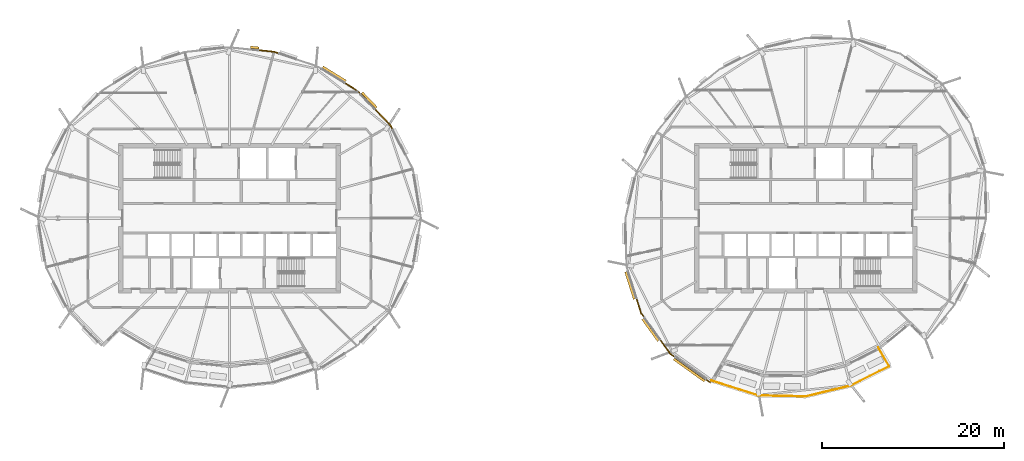
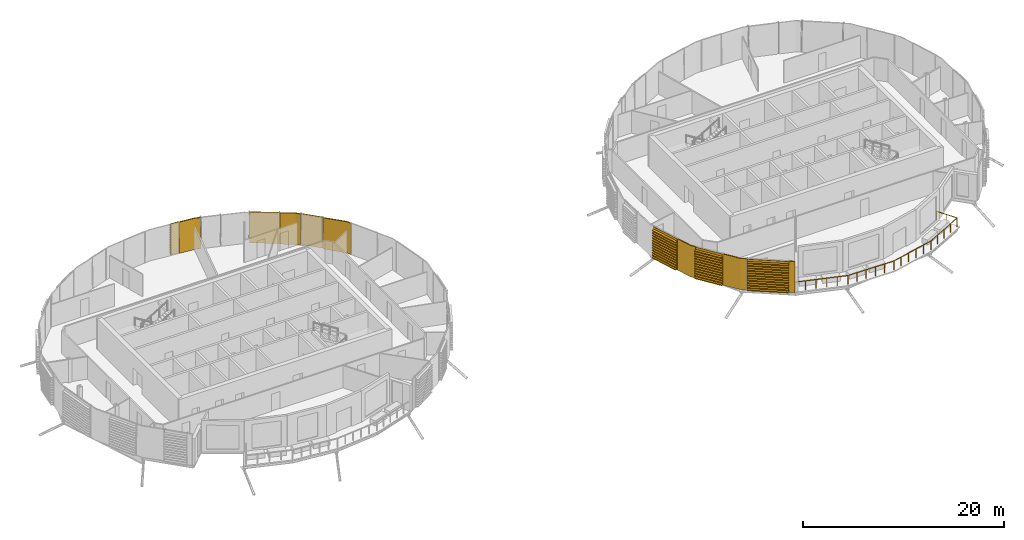
# One storey, part 37 of 41: 12 coverings, 1 railing.
"""IFC4 building model written with IfcOpenShell, lengths in metres."""

import ifcopenshell
import ifcopenshell.guid

model = None  # the IFC model being written
_history = None  # IfcOwnerHistory: only IFC2X3 demands one
_inside = {}  # id of a spatial element -> (the spatial element, [elements in it])
_under = {}  # id of a project, library or spatial element -> (it, [spatial elements below it])
_declared = {}  # id of a project -> (the project, [libraries it declares])
_typed = {}  # id of a type object -> (the type object, [elements of that type])
_made_of = {}  # id of a material, layer set ... -> (it, [elements and type objects made of it])


def new_model(schema):
    """Start an empty IFC model of exactly this schema.

    Asked for "IFC4X3", IfcOpenShell would pick the latest addendum, in which some entities
    have other attributes; the version numbers below select the first issue.
    IFC2X3 requires an IfcOwnerHistory on every rooted entity: one is made here for all.
    """
    global model, _history
    if schema == "IFC4X3":
        model = ifcopenshell.file(schema_version=(4, 3, 0, 0))
    else:
        model = ifcopenshell.file(schema=schema)
    _inside.clear()
    _under.clear()
    _declared.clear()
    _typed.clear()
    _made_of.clear()
    _history = None
    if model.schema == "IFC2X3":
        org = make("IfcOrganization", Name="unknown")
        user = make(
            "IfcPersonAndOrganization",
            ThePerson=make("IfcPerson", FamilyName="unknown"),
            TheOrganization=org,
        )
        app = make(
            "IfcApplication",
            ApplicationDeveloper=org,
            Version="unknown",
            ApplicationFullName="unknown",
            ApplicationIdentifier="unknown",
        )
        _history = make(
            "IfcOwnerHistory",
            OwningUser=user,
            OwningApplication=app,
            ChangeAction="ADDED",
            CreationDate=0,
        )
    return model


def make(cls, **values):
    """One entity of the class cls with the attributes given. An attribute that is None is left unset."""
    return model.create_entity(
        cls, **{name: value for name, value in values.items() if value is not None}
    )


def rooted(cls, **values):
    """An entity with a GlobalId (a new one), such as an element, a storey or a relation."""
    return make(cls, GlobalId=ifcopenshell.guid.new(), OwnerHistory=_history, **values)


def si_unit(unit_type, name, prefix=None):
    """IfcSIUnit, for example si_unit("LENGTHUNIT", "METRE", prefix="MILLI")."""
    return make("IfcSIUnit", UnitType=unit_type, Prefix=prefix, Name=name)


def assignment(units):
    """IfcUnitAssignment: the units of a project."""
    return None if units is None else make("IfcUnitAssignment", Units=units)


def point(xyz):
    """IfcCartesianPoint."""
    return None if xyz is None else make("IfcCartesianPoint", Coordinates=xyz)


def direction(xyz):
    """IfcDirection."""
    return None if xyz is None else make("IfcDirection", DirectionRatios=xyz)


def frame(location, z_axis=None, x_axis=None):
    """IfcAxis2Placement3D, a coordinate frame: its origin and axes. An axis left out is left unset."""
    return make(
        "IfcAxis2Placement3D",
        Location=point(location),
        Axis=direction(z_axis),
        RefDirection=direction(x_axis),
    )


def frame_2d(location, x_axis=None):
    """IfcAxis2Placement2D, a coordinate frame in the plane: its origin and x axis."""
    return make(
        "IfcAxis2Placement2D", Location=point(location), RefDirection=direction(x_axis)
    )


def origin():
    """The frame at (0, 0, 0) with its axes left unset."""
    return frame((0.0, 0.0, 0.0))


def origin_2d():
    """The frame at (0, 0) in the plane with its x axis left unset."""
    return frame_2d((0.0, 0.0))


def place(relative_to, where):
    """IfcLocalPlacement: puts the frame where relative to a parent placement (None: the world)."""
    return make(
        "IfcLocalPlacement", PlacementRelTo=relative_to, RelativePlacement=where
    )


def context(
    kind, dimensions, precision=None, world=None, true_north=None, identifier=None
):
    """IfcGeometricRepresentationContext, for example the 3D "Model" context."""
    return make(
        "IfcGeometricRepresentationContext",
        ContextIdentifier=identifier,
        ContextType=kind,
        CoordinateSpaceDimension=dimensions,
        Precision=precision,
        WorldCoordinateSystem=world,
        TrueNorth=true_north,
    )


def subcontext(parent, identifier, kind, view, scale=None):
    """IfcGeometricRepresentationSubContext, for example "Body" below "Model"."""
    return make(
        "IfcGeometricRepresentationSubContext",
        ContextIdentifier=identifier,
        ContextType=kind,
        ParentContext=parent,
        TargetScale=scale,
        TargetView=view,
    )


def project(units=None, contexts=None):
    """IfcProject with its units and contexts."""
    return rooted(
        "IfcProject",
        Name="project",
        RepresentationContexts=contexts,
        UnitsInContext=assignment(units),
    )


def spatial(cls, under=None, at=None, **own):
    """A site, building, storey or space (cls), placed at a placement, below another one or the project."""
    s = rooted(cls, ObjectPlacement=at, **own)
    if under is not None:
        _under.setdefault(under.id(), (under, []))[1].append(s)
    return s


def polyline(points):
    """IfcPolyline through the points."""
    return make("IfcPolyline", Points=[point(p) for p in points])


def profile(cls, at=None, kind="AREA", **sizes):
    """A parametric profile (cls). Its sizes go by their IFC names, for example OverallWidth=200.0."""
    return make(cls, ProfileType=kind, Position=at, **sizes)


def circle(**sizes):
    """IfcCircleProfileDef."""
    return profile("IfcCircleProfileDef", **sizes)


def outline(outer, holes=None, kind="AREA"):
    """IfcArbitraryClosedProfileDef: a profile drawn as a closed curve; with holes, ...WithVoids."""
    if holes is None:
        return make("IfcArbitraryClosedProfileDef", ProfileType=kind, OuterCurve=outer)
    return make(
        "IfcArbitraryProfileDefWithVoids",
        ProfileType=kind,
        OuterCurve=outer,
        InnerCurves=holes,
    )


def extrude(swept, where, along, depth):
    """IfcExtrudedAreaSolid: the profile swept, set in the frame where, extruded along a direction by depth."""
    return make(
        "IfcExtrudedAreaSolid",
        SweptArea=swept,
        Position=where,
        ExtrudedDirection=direction(along),
        Depth=depth,
    )


def shape(context_of_items, identifier, shape_type, items):
    """IfcShapeRepresentation: the items that make up one representation, for example the "Body"."""
    return make(
        "IfcShapeRepresentation",
        ContextOfItems=context_of_items,
        RepresentationIdentifier=identifier,
        RepresentationType=shape_type,
        Items=items,
    )


def material(Name=None, Category=None):
    """IfcMaterial."""
    return make("IfcMaterial", Name=Name, Category=Category)


def layer(
    of_material, thickness, ventilated=None, Name=None, Category=None, Priority=None
):
    """IfcMaterialLayer: one layer of a wall or slab, of a material (None: an air gap)."""
    return make(
        "IfcMaterialLayer",
        Material=of_material,
        LayerThickness=thickness,
        IsVentilated=ventilated,
        Name=Name,
        Category=Category,
        Priority=Priority,
    )


def layer_set(layers, Name=None):
    """IfcMaterialLayerSet."""
    return make("IfcMaterialLayerSet", MaterialLayers=layers, LayerSetName=Name)


def material_profile(
    of_material, cross_section, Name=None, Category=None, Priority=None
):
    """IfcMaterialProfile: a cross section and its material."""
    return make(
        "IfcMaterialProfile",
        Name=Name,
        Material=of_material,
        Profile=cross_section,
        Priority=Priority,
        Category=Category,
    )


def profile_set(profiles, Name=None, composite=None):
    """IfcMaterialProfileSet."""
    return make(
        "IfcMaterialProfileSet",
        Name=Name,
        MaterialProfiles=profiles,
        CompositeProfile=composite,
    )


def made_of(thing, what):
    """Note that an element or type object is made of a material, layer set ...; save() writes the relation."""
    if what is not None:
        _made_of.setdefault(what.id(), (what, []))[1].append(thing)
    return thing


def type_object(cls, material=None, **own):
    """A type object (cls), such as IfcWallType, which elements share."""
    return made_of(rooted(cls, **own), material)


def element(
    cls,
    number,
    at=None,
    inside=None,
    cuts=None,
    type_object=None,
    material=None,
    context=None,
    identifier="Body",
    shape_type=None,
    held_by="IfcProductDefinitionShape",
    body=None,
    shapes=None,
    **own,
):
    """One element of the class cls, such as IfcWall. Its Tag is "e" and its number.

    at: its placement. inside: the storey or other place that contains it. cuts: it is an
    opening in that element (IfcRelVoidsElement). A single representation is given by context,
    identifier, shape_type and body (its items); several are given by shapes. held_by: the class
    of the entity that holds the representations. save() writes the other relations.
    """
    e = rooted(cls, Tag="e%d" % number, ObjectPlacement=at, **own)
    if body is not None:
        shapes = [shape(context, identifier, shape_type, body)]
    if shapes is not None:
        e.Representation = make(held_by, Representations=shapes)
    if inside is not None:
        _inside.setdefault(inside.id(), (inside, []))[1].append(e)
    if cuts is not None:
        rooted(
            "IfcRelVoidsElement", RelatingBuildingElement=cuts, RelatedOpeningElement=e
        )
    if type_object is not None:
        _typed.setdefault(type_object.id(), (type_object, []))[1].append(e)
    return made_of(e, material)


def aggregate(whole, parts):
    """IfcRelAggregates: a whole, such as a stair, and the parts it consists of."""
    return rooted("IfcRelAggregates", RelatingObject=whole, RelatedObjects=parts)


def save(model, path):
    """Write the relations noted so far, then the file.

    IfcRelAggregates (storeys below a building ...), IfcRelContainedInSpatialStructure (elements
    in a storey), IfcRelDefinesByType, IfcRelAssociatesMaterial and IfcRelDeclares: one each for
    every whole, place, type object, material and project.
    """
    for whole, parts in _under.values():
        aggregate(whole, parts)
    for where, things in _inside.values():
        rooted(
            "IfcRelContainedInSpatialStructure",
            RelatedElements=things,
            RelatingStructure=where,
        )
    for kind, things in _typed.values():
        rooted("IfcRelDefinesByType", RelatedObjects=things, RelatingType=kind)
    for what, things in _made_of.values():
        rooted("IfcRelAssociatesMaterial", RelatedObjects=things, RelatingMaterial=what)
    for by, libraries in _declared.values():
        rooted("IfcRelDeclares", RelatingContext=by, RelatedDefinitions=libraries)
    model.write(path)


model = new_model("IFC4")

# Units and contexts
model_context = context("Model", 3, precision=1e-05, world=origin(), true_north=direction((0.0, 1.0)))
body_context = subcontext(model_context, "Body", "Model", "MODEL_VIEW")
ifc_project = project(units=[si_unit("LENGTHUNIT", "METRE"), si_unit("AREAUNIT", "SQUARE_METRE"), si_unit("VOLUMEUNIT", "CUBIC_METRE"), si_unit("PLANEANGLEUNIT", "RADIAN"), si_unit("MASSUNIT", "GRAM", prefix="KILO")], contexts=[model_context])

# Site, building, storey
site_placement = place(None, origin())
site = spatial("IfcSite", under=ifc_project, at=site_placement, CompositionType="ELEMENT")
building_placement = place(site_placement, origin())
building = spatial("IfcBuilding", under=site, at=building_placement, Name="Rimbun Link Towers", CompositionType="ELEMENT")
storey_placement = place(building_placement, frame((0.0, 0.0, 210.5)))
storey = spatial("IfcBuildingStorey", under=building, at=storey_placement, Name="L51", CompositionType="ELEMENT", Elevation=210.5)

# Railing
ifc_material_1 = material(Name="Stainless steel grade 316", Category="steel")
railing_type = type_object("IfcRailingType", Name="GUARD stainless rail and posts", PredefinedType="GUARDRAIL", material=ifc_material_1)
railing_placement = place(storey_placement, frame((21.369140625, -17.89453125, 0.0)))
element("IfcRailing", 1, at=railing_placement, inside=storey, type_object=railing_type, Name="GUARD", PredefinedType="GUARDRAIL", context=body_context, shape_type="SweptSolid", body=[
    extrude(circle(Radius=0.02392578125, at=origin_2d()), frame((0.0, 0.0, 1.076171875), z_axis=(0.952965688844, -0.303078200941, 0.0), x_axis=(0.303078200941, 0.952965688844, 0.0)), (0.0, 0.0, 1.0), 5.3818359375),
    extrude(circle(Radius=0.02392578125, at=origin_2d()), frame((5.128662109375, -1.631103515625, 1.076171875), z_axis=(0.999778518668, -0.021045512808, 0.0), x_axis=(0.021045512808, 0.999778518668, 0.0)), (0.0, 0.0, 1.0), 5.23193359375),
    extrude(circle(Radius=0.02392578125, at=origin_2d()), frame((10.359375, -1.7412109375, 1.076171875), z_axis=(0.972578655658, 0.232574200114, 0.0), x_axis=(-0.232574200114, 0.972578655658, 0.0)), (0.0, 0.0, 1.0), 5.0869140625),
    extrude(circle(Radius=0.02392578125, at=origin_2d()), frame((15.306884765625, -0.55810546875, 1.076171875), z_axis=(0.893647594266, 0.448769403216, 0.0), x_axis=(-0.448769403216, 0.893647594266, 0.0)), (0.0, 0.0, 1.0), 4.768310546875),
    extrude(circle(Radius=0.02392578125, at=origin_2d()), frame((19.568115234375, 1.581787109375, 1.076171875), z_axis=(-0.500020385304, 0.866013634004, 0.0), x_axis=(-0.866013634004, -0.500020385304, 0.0)), (0.0, 0.0, 1.0), 2.38818359375),
    extrude(circle(Radius=0.02099609375, at=origin_2d()), origin(), (0.0, 0.0, 1.0), 1.052001953125),
    extrude(circle(Radius=0.02099609375, at=origin_2d()), frame((1.025634765625, -0.326171875, 0.0)), (0.0, 0.0, 1.0), 1.052001953125),
    extrude(circle(Radius=0.02099609375, at=origin_2d()), frame((2.051513671875, -0.65234375, 0.0)), (0.0, 0.0, 1.0), 1.052001953125),
    extrude(circle(Radius=0.02099609375, at=origin_2d()), frame((3.0771484375, -0.978759765625, 0.0)), (0.0, 0.0, 1.0), 1.052001953125),
    extrude(circle(Radius=0.02099609375, at=origin_2d()), frame((4.10302734375, -1.304931640625, 0.0)), (0.0, 0.0, 1.0), 1.052001953125),
    extrude(circle(Radius=0.02099609375, at=origin_2d()), frame((5.128662109375, -1.631103515625, 0.0)), (0.0, 0.0, 1.0), 1.052001953125),
    extrude(circle(Radius=0.02099609375, at=origin_2d()), frame((6.1748046875, -1.653076171875, 0.0)), (0.0, 0.0, 1.0), 1.052001953125),
    extrude(circle(Radius=0.02099609375, at=origin_2d()), frame((7.220947265625, -1.675048828125, 0.0)), (0.0, 0.0, 1.0), 1.052001953125),
    extrude(circle(Radius=0.02099609375, at=origin_2d()), frame((8.26708984375, -1.697265625, 0.0)), (0.0, 0.0, 1.0), 1.052001953125),
    extrude(circle(Radius=0.02099609375, at=origin_2d()), frame((9.313232421875, -1.71923828125, 0.0)), (0.0, 0.0, 1.0), 1.052001953125),
    extrude(circle(Radius=0.02099609375, at=origin_2d()), frame((10.359375, -1.7412109375, 0.0)), (0.0, 0.0, 1.0), 1.052001953125),
    extrude(circle(Radius=0.02099609375, at=origin_2d()), frame((11.348876953125, -1.504638671875, 0.0)), (0.0, 0.0, 1.0), 1.052001953125),
    extrude(circle(Radius=0.02099609375, at=origin_2d()), frame((12.33837890625, -1.26806640625, 0.0)), (0.0, 0.0, 1.0), 1.052001953125),
    extrude(circle(Radius=0.02099609375, at=origin_2d()), frame((13.327880859375, -1.03125, 0.0)), (0.0, 0.0, 1.0), 1.052001953125),
    extrude(circle(Radius=0.02099609375, at=origin_2d()), frame((14.3173828125, -0.794677734375, 0.0)), (0.0, 0.0, 1.0), 1.052001953125),
    extrude(circle(Radius=0.02099609375, at=origin_2d()), frame((15.306884765625, -0.55810546875, 0.0)), (0.0, 0.0, 1.0), 1.052001953125),
    extrude(circle(Radius=0.02099609375, at=origin_2d()), frame((16.3720703125, -0.023193359375, 0.0)), (0.0, 0.0, 1.0), 1.052001953125),
    extrude(circle(Radius=0.02099609375, at=origin_2d()), frame((17.4375, 0.51171875, 0.0)), (0.0, 0.0, 1.0), 1.052001953125),
    extrude(circle(Radius=0.02099609375, at=origin_2d()), frame((18.5029296875, 1.046875, 0.0)), (0.0, 0.0, 1.0), 1.052001953125),
    extrude(circle(Radius=0.02099609375, at=origin_2d()), frame((19.568115234375, 1.581787109375, 0.0)), (0.0, 0.0, 1.0), 1.052001953125),
    extrude(circle(Radius=0.02099609375, at=origin_2d()), frame((18.97119140625, 2.61572265625, 0.0)), (0.0, 0.0, 1.0), 1.052001953125),
    extrude(circle(Radius=0.02099609375, at=origin_2d()), frame((18.3740234375, 3.64990234375, 0.0)), (0.0, 0.0, 1.0), 1.052001953125),
])

# Coverings
ifc_material_2 = material(Name="Terracotta", Category="masonry")
ifc_layer = layer(ifc_material_2, 0.1201171875)
ifc_layer_set = layer_set([ifc_layer], Name="LINK PIER terracotta cladding 120")
covering_type_1 = type_object("IfcCoveringType", Name="LINK PIER terracotta cladding 120", PredefinedType="CLADDING", material=ifc_layer_set)
covering_1_placement = place(storey_placement, origin())
element("IfcCovering", 2, at=covering_1_placement, inside=storey, type_object=covering_type_1, Name="LINK PIER cladding", PredefinedType="CLADDING", context=body_context, shape_type="SweptSolid", body=[
    extrude(outline(polyline([(-15.739990234375, 11.957275390625), (-14.065185546875, 10.21044921875), (-13.826171875, 9.74853515625), (-13.719482421875, 9.8037109375), (-13.966552734375, 10.281005859375), (-15.6533203125, 12.040283203125), (-15.739990234375, 11.957275390625)])), origin(), (0.0, 0.0, 1.0), 3.800048828125),
])
covering_2_placement = place(storey_placement, origin())
element("IfcCovering", 3, at=covering_2_placement, inside=storey, type_object=covering_type_1, Name="LINK PIER cladding", PredefinedType="CLADDING", context=body_context, shape_type="SweptSolid", body=[
    extrude(outline(polyline([(-19.0615234375, 14.847900390625), (-17.7236328125, 14.0263671875), (-17.36376953125, 13.651123046875), (-17.277099609375, 13.734130859375), (-17.647705078125, 14.12060546875), (-18.998779296875, 14.9501953125), (-19.0615234375, 14.847900390625)])), origin(), (0.0, 0.0, 1.0), 3.800048828125),
])
covering_3_placement = place(storey_placement, origin())
element("IfcCovering", 4, at=covering_3_placement, inside=storey, type_object=covering_type_1, Name="LINK PIER cladding", PredefinedType="CLADDING", context=body_context, shape_type="SweptSolid", body=[
    extrude(outline(polyline([(-28.510498046875, 18.462646484375), (-26.849853515625, 18.28759765625), (-26.308837890625, 18.1083984375), (-26.27099609375, 18.222412109375), (-26.824462890625, 18.40576171875), (-28.498046875, 18.58203125), (-28.510498046875, 18.462646484375)])), origin(), (0.0, 0.0, 1.0), 3.800048828125),
])
covering_4_placement = place(storey_placement, origin())
element("IfcCovering", 5, at=covering_4_placement, inside=storey, type_object=covering_type_1, Name="LINK PIER cladding", PredefinedType="CLADDING", context=body_context, shape_type="SweptSolid", body=[
    extrude(outline(polyline([(13.9970703125, -10.904541015625), (13.664794921875, -10.44140625), (13.15869140625, -8.85009765625), (13.04443359375, -8.886474609375), (13.55615234375, -10.49609375), (13.899658203125, -10.974609375), (13.9970703125, -10.904541015625)])), origin(), (0.0, 0.0, 1.0), 3.800048828125),
])
covering_5_placement = place(storey_placement, origin())
element("IfcCovering", 6, at=covering_5_placement, inside=storey, type_object=covering_type_1, Name="LINK PIER cladding", PredefinedType="CLADDING", context=body_context, shape_type="SweptSolid", body=[
    extrude(outline(polyline([(21.2841796875, -18.067626953125), (20.8046875, -17.7236328125), (20.73486328125, -17.8212890625), (21.214111328125, -18.165283203125), (21.2841796875, -18.067626953125)])), origin(), (0.0, 0.0, 1.0), 3.800048828125),
])
covering_6_placement = place(storey_placement, origin())
element("IfcCovering", 7, at=covering_6_placement, inside=storey, type_object=covering_type_1, Name="LINK PIER cladding", PredefinedType="CLADDING", context=body_context, shape_type="SweptSolid", body=[
    extrude(outline(polyline([(17.36181640625, -15.253173828125), (16.858154296875, -14.891845703125), (15.76806640625, -13.37255859375), (15.67041015625, -13.4423828125), (16.772216796875, -14.977783203125), (17.2919921875, -15.350830078125), (17.36181640625, -15.253173828125)])), origin(), (0.0, 0.0, 1.0), 3.800048828125),
])
ifc_material_3 = material(Name="Terracotta", Category="masonry")
ifc_material_profile = material_profile(ifc_material_3, outline(polyline([(0.123046875, 0.0), (0.1630859375, 0.0), (0.1630859375, 0.10009765625), (0.423095703125, 0.10009765625), (0.423095703125, 0.219970703125), (0.1630859375, 0.219970703125), (0.1630859375, 0.39990234375), (0.423095703125, 0.39990234375), (0.423095703125, 0.52001953125), (0.1630859375, 0.52001953125), (0.1630859375, 0.699951171875), (0.423095703125, 0.699951171875), (0.423095703125, 0.820068359375), (0.1630859375, 0.820068359375), (0.1630859375, 1.0), (0.423095703125, 1.0), (0.423095703125, 1.1201171875), (0.1630859375, 1.1201171875), (0.1630859375, 1.300048828125), (0.423095703125, 1.300048828125), (0.423095703125, 1.419921875), (0.1630859375, 1.419921875), (0.1630859375, 1.60009765625), (0.423095703125, 1.60009765625), (0.423095703125, 1.719970703125), (0.1630859375, 1.719970703125), (0.1630859375, 1.89990234375), (0.423095703125, 1.89990234375), (0.423095703125, 2.02001953125), (0.1630859375, 2.02001953125), (0.1630859375, 2.199951171875), (0.423095703125, 2.199951171875), (0.423095703125, 2.320068359375), (0.1630859375, 2.320068359375), (0.1630859375, 2.5), (0.423095703125, 2.5), (0.423095703125, 2.6201171875), (0.1630859375, 2.6201171875), (0.1630859375, 2.800048828125), (0.423095703125, 2.800048828125), (0.423095703125, 2.919921875), (0.1630859375, 2.919921875), (0.1630859375, 3.10009765625), (0.423095703125, 3.10009765625), (0.423095703125, 3.219970703125), (0.1630859375, 3.219970703125), (0.1630859375, 3.39990234375), (0.423095703125, 3.39990234375), (0.423095703125, 3.52001953125), (0.1630859375, 3.52001953125), (0.1630859375, 3.800048828125), (0.123046875, 3.800048828125), (0.123046875, 0.0)])), Name="BAGUETTE 120X300")
ifc_profile_set = profile_set([ifc_material_profile], Name="Terracotta")
covering_type_2 = type_object("IfcCoveringType", Name="TERRACOTTA BAGUETTE 120X300 H3800", PredefinedType="CLADDING", material=ifc_profile_set)
covering_7_placement = place(storey_placement, frame((-17.343017578125, 13.62939453125, 0.0), z_axis=(0.692053780348, -0.721845942779, 0.0), x_axis=(0.721845942779, 0.692053780348, 0.0)))
element("IfcCovering", 8, at=covering_7_placement, inside=storey, type_object=covering_type_2, Name="TERRACOTTA BAGUETTE", PredefinedType="CLADDING", context=body_context, shape_type="SweptSolid", body=[
    extrude(outline(polyline([(0.123046875, 0.0), (0.1630859375, 0.0), (0.1630859375, 0.10009765625), (0.423095703125, 0.10009765625), (0.423095703125, 0.219970703125), (0.1630859375, 0.219970703125), (0.1630859375, 0.39990234375), (0.423095703125, 0.39990234375), (0.423095703125, 0.52001953125), (0.1630859375, 0.52001953125), (0.1630859375, 0.699951171875), (0.423095703125, 0.699951171875), (0.423095703125, 0.820068359375), (0.1630859375, 0.820068359375), (0.1630859375, 1.0), (0.423095703125, 1.0), (0.423095703125, 1.1201171875), (0.1630859375, 1.1201171875), (0.1630859375, 1.300048828125), (0.423095703125, 1.300048828125), (0.423095703125, 1.419921875), (0.1630859375, 1.419921875), (0.1630859375, 1.60009765625), (0.423095703125, 1.60009765625), (0.423095703125, 1.719970703125), (0.1630859375, 1.719970703125), (0.1630859375, 1.89990234375), (0.423095703125, 1.89990234375), (0.423095703125, 2.02001953125), (0.1630859375, 2.02001953125), (0.1630859375, 2.199951171875), (0.423095703125, 2.199951171875), (0.423095703125, 2.320068359375), (0.1630859375, 2.320068359375), (0.1630859375, 2.5), (0.423095703125, 2.5), (0.423095703125, 2.6201171875), (0.1630859375, 2.6201171875), (0.1630859375, 2.800048828125), (0.423095703125, 2.800048828125), (0.423095703125, 2.919921875), (0.1630859375, 2.919921875), (0.1630859375, 3.10009765625), (0.423095703125, 3.10009765625), (0.423095703125, 3.219970703125), (0.1630859375, 3.219970703125), (0.1630859375, 3.39990234375), (0.423095703125, 3.39990234375), (0.423095703125, 3.52001953125), (0.1630859375, 3.52001953125), (0.1630859375, 3.800048828125), (0.123046875, 3.800048828125), (0.123046875, 0.0)])), origin(), (0.0, 0.0, 1.0), 2.286376953125),
])
covering_8_placement = place(storey_placement, frame((-21.631591796875, 16.426025390625, 0.0), z_axis=(0.852152035837, -0.523294284145, 0.0), x_axis=(0.523294284145, 0.852152035837, 0.0)))
element("IfcCovering", 9, at=covering_8_placement, inside=storey, type_object=covering_type_2, Name="TERRACOTTA BAGUETTE", PredefinedType="CLADDING", context=body_context, shape_type="SweptSolid", body=[
    extrude(outline(polyline([(0.123046875, 0.0), (0.1630859375, 0.0), (0.1630859375, 0.10009765625), (0.423095703125, 0.10009765625), (0.423095703125, 0.219970703125), (0.1630859375, 0.219970703125), (0.1630859375, 0.39990234375), (0.423095703125, 0.39990234375), (0.423095703125, 0.52001953125), (0.1630859375, 0.52001953125), (0.1630859375, 0.699951171875), (0.423095703125, 0.699951171875), (0.423095703125, 0.820068359375), (0.1630859375, 0.820068359375), (0.1630859375, 1.0), (0.423095703125, 1.0), (0.423095703125, 1.1201171875), (0.1630859375, 1.1201171875), (0.1630859375, 1.300048828125), (0.423095703125, 1.300048828125), (0.423095703125, 1.419921875), (0.1630859375, 1.419921875), (0.1630859375, 1.60009765625), (0.423095703125, 1.60009765625), (0.423095703125, 1.719970703125), (0.1630859375, 1.719970703125), (0.1630859375, 1.89990234375), (0.423095703125, 1.89990234375), (0.423095703125, 2.02001953125), (0.1630859375, 2.02001953125), (0.1630859375, 2.199951171875), (0.423095703125, 2.199951171875), (0.423095703125, 2.320068359375), (0.1630859375, 2.320068359375), (0.1630859375, 2.5), (0.423095703125, 2.5), (0.423095703125, 2.6201171875), (0.1630859375, 2.6201171875), (0.1630859375, 2.800048828125), (0.423095703125, 2.800048828125), (0.423095703125, 2.919921875), (0.1630859375, 2.919921875), (0.1630859375, 3.10009765625), (0.423095703125, 3.10009765625), (0.423095703125, 3.219970703125), (0.1630859375, 3.219970703125), (0.1630859375, 3.39990234375), (0.423095703125, 3.39990234375), (0.423095703125, 3.52001953125), (0.1630859375, 3.52001953125), (0.1630859375, 3.800048828125), (0.123046875, 3.800048828125), (0.123046875, 0.0)])), origin(), (0.0, 0.0, 1.0), 2.98583984375),
])
covering_9_placement = place(storey_placement, frame((-29.462646484375, 18.562744140625, 0.0), z_axis=(0.994521312223, -0.104534011372, 0.0), x_axis=(0.104534011372, 0.994521312223, 0.0)))
element("IfcCovering", 10, at=covering_9_placement, inside=storey, type_object=covering_type_2, Name="TERRACOTTA BAGUETTE", PredefinedType="CLADDING", context=body_context, shape_type="SweptSolid", body=[
    extrude(outline(polyline([(0.123046875, 0.0), (0.1630859375, 0.0), (0.1630859375, 0.10009765625), (0.423095703125, 0.10009765625), (0.423095703125, 0.219970703125), (0.1630859375, 0.219970703125), (0.1630859375, 0.39990234375), (0.423095703125, 0.39990234375), (0.423095703125, 0.52001953125), (0.1630859375, 0.52001953125), (0.1630859375, 0.699951171875), (0.423095703125, 0.699951171875), (0.423095703125, 0.820068359375), (0.1630859375, 0.820068359375), (0.1630859375, 1.0), (0.423095703125, 1.0), (0.423095703125, 1.1201171875), (0.1630859375, 1.1201171875), (0.1630859375, 1.300048828125), (0.423095703125, 1.300048828125), (0.423095703125, 1.419921875), (0.1630859375, 1.419921875), (0.1630859375, 1.60009765625), (0.423095703125, 1.60009765625), (0.423095703125, 1.719970703125), (0.1630859375, 1.719970703125), (0.1630859375, 1.89990234375), (0.423095703125, 1.89990234375), (0.423095703125, 2.02001953125), (0.1630859375, 2.02001953125), (0.1630859375, 2.199951171875), (0.423095703125, 2.199951171875), (0.423095703125, 2.320068359375), (0.1630859375, 2.320068359375), (0.1630859375, 2.5), (0.423095703125, 2.5), (0.423095703125, 2.6201171875), (0.1630859375, 2.6201171875), (0.1630859375, 2.800048828125), (0.423095703125, 2.800048828125), (0.423095703125, 2.919921875), (0.1630859375, 2.919921875), (0.1630859375, 3.10009765625), (0.423095703125, 3.10009765625), (0.423095703125, 3.219970703125), (0.1630859375, 3.219970703125), (0.1630859375, 3.39990234375), (0.423095703125, 3.39990234375), (0.423095703125, 3.52001953125), (0.1630859375, 3.52001953125), (0.1630859375, 3.800048828125), (0.123046875, 3.800048828125), (0.123046875, 0.0)])), origin(), (0.0, 0.0, 1.0), 0.92724609375),
])
covering_10_placement = place(storey_placement, frame((13.149658203125, -8.821533203125, 0.0), z_axis=(-0.303082508307, 0.952964318932, 0.0), x_axis=(-0.952964318932, -0.303082508307, 0.0)))
element("IfcCovering", 11, at=covering_10_placement, inside=storey, type_object=covering_type_2, Name="TERRACOTTA BAGUETTE", PredefinedType="CLADDING", context=body_context, shape_type="SweptSolid", body=[
    extrude(outline(polyline([(0.123046875, 0.0), (0.1630859375, 0.0), (0.1630859375, 0.10009765625), (0.423095703125, 0.10009765625), (0.423095703125, 0.219970703125), (0.1630859375, 0.219970703125), (0.1630859375, 0.39990234375), (0.423095703125, 0.39990234375), (0.423095703125, 0.52001953125), (0.1630859375, 0.52001953125), (0.1630859375, 0.699951171875), (0.423095703125, 0.699951171875), (0.423095703125, 0.820068359375), (0.1630859375, 0.820068359375), (0.1630859375, 1.0), (0.423095703125, 1.0), (0.423095703125, 1.1201171875), (0.1630859375, 1.1201171875), (0.1630859375, 1.300048828125), (0.423095703125, 1.300048828125), (0.423095703125, 1.419921875), (0.1630859375, 1.419921875), (0.1630859375, 1.60009765625), (0.423095703125, 1.60009765625), (0.423095703125, 1.719970703125), (0.1630859375, 1.719970703125), (0.1630859375, 1.89990234375), (0.423095703125, 1.89990234375), (0.423095703125, 2.02001953125), (0.1630859375, 2.02001953125), (0.1630859375, 2.199951171875), (0.423095703125, 2.199951171875), (0.423095703125, 2.320068359375), (0.1630859375, 2.320068359375), (0.1630859375, 2.5), (0.423095703125, 2.5), (0.423095703125, 2.6201171875), (0.1630859375, 2.6201171875), (0.1630859375, 2.800048828125), (0.423095703125, 2.800048828125), (0.423095703125, 2.919921875), (0.1630859375, 2.919921875), (0.1630859375, 3.10009765625), (0.423095703125, 3.10009765625), (0.423095703125, 3.219970703125), (0.1630859375, 3.219970703125), (0.1630859375, 3.39990234375), (0.423095703125, 3.39990234375), (0.423095703125, 3.52001953125), (0.1630859375, 3.52001953125), (0.1630859375, 3.800048828125), (0.123046875, 3.800048828125), (0.123046875, 0.0)])), origin(), (0.0, 0.0, 1.0), 3.160888671875),
])
covering_11_placement = place(storey_placement, frame((15.75048828125, -13.34814453125, 0.0), z_axis=(-0.582982013592, 0.812485059449, 0.0), x_axis=(-0.812485059449, -0.582982013592, 0.0)))
element("IfcCovering", 12, at=covering_11_placement, inside=storey, type_object=covering_type_2, Name="TERRACOTTA BAGUETTE", PredefinedType="CLADDING", context=body_context, shape_type="SweptSolid", body=[
    extrude(outline(polyline([(0.123046875, 0.0), (0.1630859375, 0.0), (0.1630859375, 0.10009765625), (0.423095703125, 0.10009765625), (0.423095703125, 0.219970703125), (0.1630859375, 0.219970703125), (0.1630859375, 0.39990234375), (0.423095703125, 0.39990234375), (0.423095703125, 0.52001953125), (0.1630859375, 0.52001953125), (0.1630859375, 0.699951171875), (0.423095703125, 0.699951171875), (0.423095703125, 0.820068359375), (0.1630859375, 0.820068359375), (0.1630859375, 1.0), (0.423095703125, 1.0), (0.423095703125, 1.1201171875), (0.1630859375, 1.1201171875), (0.1630859375, 1.300048828125), (0.423095703125, 1.300048828125), (0.423095703125, 1.419921875), (0.1630859375, 1.419921875), (0.1630859375, 1.60009765625), (0.423095703125, 1.60009765625), (0.423095703125, 1.719970703125), (0.1630859375, 1.719970703125), (0.1630859375, 1.89990234375), (0.423095703125, 1.89990234375), (0.423095703125, 2.02001953125), (0.1630859375, 2.02001953125), (0.1630859375, 2.199951171875), (0.423095703125, 2.199951171875), (0.423095703125, 2.320068359375), (0.1630859375, 2.320068359375), (0.1630859375, 2.5), (0.423095703125, 2.5), (0.423095703125, 2.6201171875), (0.1630859375, 2.6201171875), (0.1630859375, 2.800048828125), (0.423095703125, 2.800048828125), (0.423095703125, 2.919921875), (0.1630859375, 2.919921875), (0.1630859375, 3.10009765625), (0.423095703125, 3.10009765625), (0.423095703125, 3.219970703125), (0.1630859375, 3.219970703125), (0.1630859375, 3.39990234375), (0.423095703125, 3.39990234375), (0.423095703125, 3.52001953125), (0.1630859375, 3.52001953125), (0.1630859375, 3.800048828125), (0.123046875, 3.800048828125), (0.123046875, 0.0)])), origin(), (0.0, 0.0, 1.0), 2.9775390625),
])
covering_12_placement = place(storey_placement, frame((20.7802734375, -17.706298828125, 0.0), z_axis=(-0.8124600168, 0.583016913221, 0.0), x_axis=(-0.583016913221, -0.8124600168, 0.0)))
element("IfcCovering", 13, at=covering_12_placement, inside=storey, type_object=covering_type_2, Name="TERRACOTTA BAGUETTE", PredefinedType="CLADDING", context=body_context, shape_type="SweptSolid", body=[
    extrude(outline(polyline([(0.123046875, 0.0), (0.1630859375, 0.0), (0.1630859375, 0.10009765625), (0.423095703125, 0.10009765625), (0.423095703125, 0.219970703125), (0.1630859375, 0.219970703125), (0.1630859375, 0.39990234375), (0.423095703125, 0.39990234375), (0.423095703125, 0.52001953125), (0.1630859375, 0.52001953125), (0.1630859375, 0.699951171875), (0.423095703125, 0.699951171875), (0.423095703125, 0.820068359375), (0.1630859375, 0.820068359375), (0.1630859375, 1.0), (0.423095703125, 1.0), (0.423095703125, 1.1201171875), (0.1630859375, 1.1201171875), (0.1630859375, 1.300048828125), (0.423095703125, 1.300048828125), (0.423095703125, 1.419921875), (0.1630859375, 1.419921875), (0.1630859375, 1.60009765625), (0.423095703125, 1.60009765625), (0.423095703125, 1.719970703125), (0.1630859375, 1.719970703125), (0.1630859375, 1.89990234375), (0.423095703125, 1.89990234375), (0.423095703125, 2.02001953125), (0.1630859375, 2.02001953125), (0.1630859375, 2.199951171875), (0.423095703125, 2.199951171875), (0.423095703125, 2.320068359375), (0.1630859375, 2.320068359375), (0.1630859375, 2.5), (0.423095703125, 2.5), (0.423095703125, 2.6201171875), (0.1630859375, 2.6201171875), (0.1630859375, 2.800048828125), (0.423095703125, 2.800048828125), (0.423095703125, 2.919921875), (0.1630859375, 2.919921875), (0.1630859375, 3.10009765625), (0.423095703125, 3.10009765625), (0.423095703125, 3.219970703125), (0.1630859375, 3.219970703125), (0.1630859375, 3.39990234375), (0.423095703125, 3.39990234375), (0.423095703125, 3.52001953125), (0.1630859375, 3.52001953125), (0.1630859375, 3.800048828125), (0.123046875, 3.800048828125), (0.123046875, 0.0)])), origin(), (0.0, 0.0, 1.0), 4.177490234375),
])

save(model, "model.ifc")
